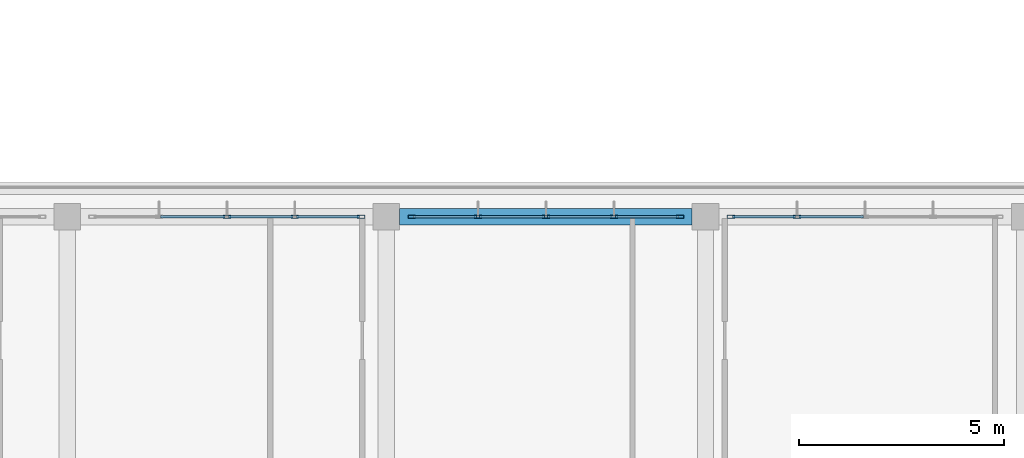
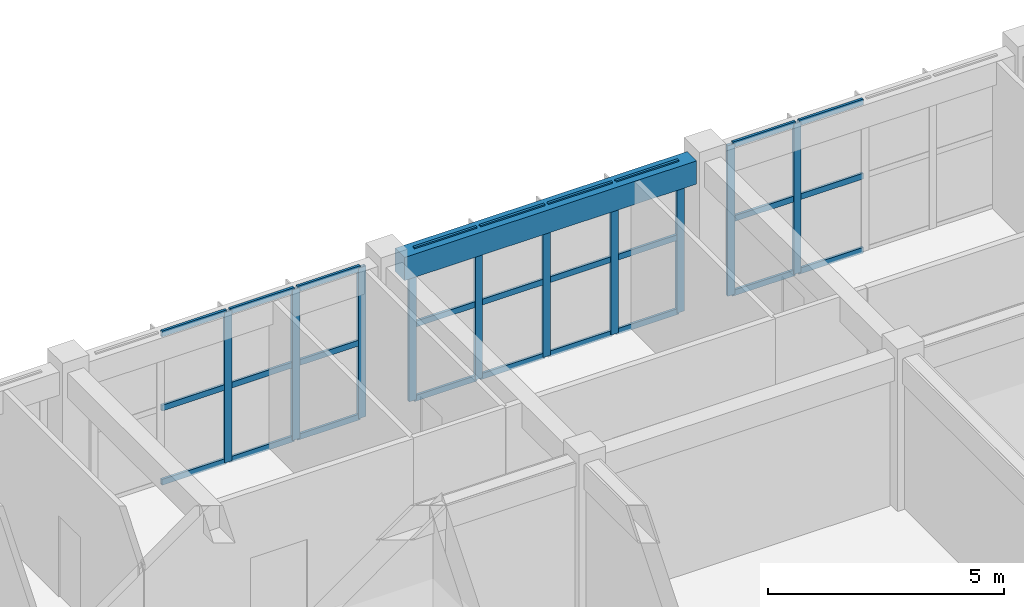
# One storey, part 25 of 57: 37 members, 1 beam, 3 elements without a shape of their own.
"""IFC4 building model written with IfcOpenShell, lengths in metres."""

from ifc_helpers import new_model, si_unit, direction, frame, origin, origin_2d, place, context, subcontext, project, spatial, rectangle, hollow_rectangle, extrude, material, layer, layer_set, material_profile, profile_set, type_object, element, aggregate, save


model = new_model("IFC4")

# Units and contexts
model_context = context("Model", 3, precision=1e-05, world=origin(), true_north=direction((0.0, 1.0)))
body_context = subcontext(model_context, "Body", "Model", "MODEL_VIEW")
ifc_project = project(units=[si_unit("LENGTHUNIT", "METRE"), si_unit("AREAUNIT", "SQUARE_METRE"), si_unit("VOLUMEUNIT", "CUBIC_METRE"), si_unit("PLANEANGLEUNIT", "RADIAN"), si_unit("MASSUNIT", "GRAM", prefix="KILO")], contexts=[model_context])

# Site, building, storey
site_placement = place(None, origin())
site = spatial("IfcSite", under=ifc_project, at=site_placement, CompositionType="ELEMENT")
building_placement = place(site_placement, origin())
building = spatial("IfcBuilding", under=site, at=building_placement, Name="Zizhar Promenade General Hospital", CompositionType="ELEMENT")
storey_placement = place(building_placement, frame((0.0, 0.0, 22.199951171875)))
storey = spatial("IfcBuildingStorey", under=building, at=storey_placement, Name="L05", CompositionType="ELEMENT", Elevation=22.199951171875)

# Beam
ifc_material_1 = material(Name="Concrete C35/45", Category="concrete")
ifc_material_profile_1 = material_profile(ifc_material_1, rectangle(XDim=0.39990234375, YDim=0.60009765625, at=origin_2d()))
ifc_profile_set_1 = profile_set([ifc_material_profile_1], Name="Concrete C35/45")
beam_type = type_object("IfcBeamType", Name="BM-RC-400x600", PredefinedType="JOIST", material=ifc_profile_set_1)
beam_placement = place(storey_placement, frame((86.125, 25.199951171875, 3.610107421875), z_axis=(1.0, 0.0, 0.0), x_axis=(0.0, 1.0, 0.0)))
element("IfcBeam", 1, at=beam_placement, inside=storey, type_object=beam_type, Name="Grid Beam X L05 (11-3)", PredefinedType="JOIST", context=body_context, shape_type="SweptSolid", body=[
    extrude(rectangle(XDim=0.39990234375, YDim=0.60009765625, at=origin_2d()), origin(), (0.0, 0.0, 1.0), 7.14990234375),
])

# Curtain wall, members
ifc_material_2 = material(Name="Anodised aluminium 6063-T6 and low-E glass", Category="aluminium")
ifc_layer = layer(ifc_material_2, 0.159912109375)
ifc_layer_set = layer_set([ifc_layer], Name="Anodised aluminium 6063-T6 and low-E glass")
curtain_wall_type = type_object("IfcCurtainWallType", Name="CW-WARD-RIB", PredefinedType="NOTDEFINED", material=ifc_layer_set)
curtain_wall_1_placement = place(storey_placement, origin())
curtain_wall_1 = element("IfcCurtainWall", 2, at=curtain_wall_1_placement, inside=storey, type_object=curtain_wall_type, Name="Ward Ribbon Curtain Wall L05-8-6", PredefinedType="NOTDEFINED")
ifc_material_3 = material(Name="Anodised aluminium 6063-T6", Category="aluminium")
ifc_material_profile_2 = material_profile(ifc_material_3, hollow_rectangle(XDim=0.080078125, YDim=0.179931640625, WallThickness=0.0048828125, at=origin_2d()))
ifc_profile_set_2 = profile_set([ifc_material_profile_2], Name="Anodised aluminium 6063-T6")
member_type_1 = type_object("IfcMemberType", Name="CWM-ALU-180x80", PredefinedType="MULLION", material=ifc_profile_set_2)
member_1_placement = place(storey_placement, frame((81.89990234375, 25.199951171875, 0.0), z_axis=(0.0, 0.0, 1.0), x_axis=(0.0, 1.0, 0.0)))
member_1 = element("IfcMember", 3, at=member_1_placement, type_object=member_type_1, Name="CW-13 mullion 3", PredefinedType="MULLION", context=body_context, shape_type="SweptSolid", body=[
    extrude(hollow_rectangle(XDim=0.080078125, YDim=0.179931640625, WallThickness=0.0048828125, at=origin_2d()), origin(), (0.0, 0.0, 1.0), 3.900146484375),
])
member_2_placement = place(storey_placement, frame((83.56005859375, 25.199951171875, 0.0), z_axis=(0.0, 0.0, 1.0), x_axis=(0.0, 1.0, 0.0)))
member_2 = element("IfcMember", 4, at=member_2_placement, type_object=member_type_1, Name="CW-13 mullion 4", PredefinedType="MULLION", context=body_context, shape_type="SweptSolid", body=[
    extrude(hollow_rectangle(XDim=0.080078125, YDim=0.179931640625, WallThickness=0.0048828125, at=origin_2d()), origin(), (0.0, 0.0, 1.0), 3.900146484375),
])
member_3_placement = place(storey_placement, frame((85.179931640625, 25.199951171875, 0.0), z_axis=(0.0, 0.0, 1.0), x_axis=(0.0, 1.0, 0.0)))
member_3 = element("IfcMember", 5, at=member_3_placement, type_object=member_type_1, Name="CW-13 mullion 5", PredefinedType="MULLION", context=body_context, shape_type="SweptSolid", body=[
    extrude(hollow_rectangle(XDim=0.080078125, YDim=0.179931640625, WallThickness=0.0048828125, at=origin_2d()), origin(), (0.0, 0.0, 1.0), 3.900146484375),
])

curtain_wall_2_placement = place(storey_placement, origin())
curtain_wall_2 = element("IfcCurtainWall", 6, at=curtain_wall_2_placement, inside=storey, type_object=curtain_wall_type, Name="Ward Ribbon Curtain Wall L05-8-7", PredefinedType="NOTDEFINED")
member_4_placement = place(storey_placement, frame((86.419921875, 25.199951171875, 0.0), z_axis=(0.0, 0.0, 1.0), x_axis=(0.0, 1.0, 0.0)))
member_4 = element("IfcMember", 7, at=member_4_placement, type_object=member_type_1, Name="CW-13 mullion 1", PredefinedType="MULLION", context=body_context, shape_type="SweptSolid", body=[
    extrude(hollow_rectangle(XDim=0.080078125, YDim=0.179931640625, WallThickness=0.0048828125, at=origin_2d()), origin(), (0.0, 0.0, 1.0), 3.900146484375),
])
member_5_placement = place(storey_placement, frame((88.0400390625, 25.199951171875, 0.0), z_axis=(0.0, 0.0, 1.0), x_axis=(0.0, 1.0, 0.0)))
member_5 = element("IfcMember", 8, at=member_5_placement, type_object=member_type_1, Name="CW-13 mullion 2", PredefinedType="MULLION", context=body_context, shape_type="SweptSolid", body=[
    extrude(hollow_rectangle(XDim=0.080078125, YDim=0.179931640625, WallThickness=0.0048828125, at=origin_2d()), origin(), (0.0, 0.0, 1.0), 3.900146484375),
])
member_6_placement = place(storey_placement, frame((89.699951171875, 25.199951171875, 0.0), z_axis=(0.0, 0.0, 1.0), x_axis=(0.0, 1.0, 0.0)))
member_6 = element("IfcMember", 9, at=member_6_placement, type_object=member_type_1, Name="CW-13 mullion 3", PredefinedType="MULLION", context=body_context, shape_type="SweptSolid", body=[
    extrude(hollow_rectangle(XDim=0.080078125, YDim=0.179931640625, WallThickness=0.0048828125, at=origin_2d()), origin(), (0.0, 0.0, 1.0), 3.900146484375),
])
member_7_placement = place(storey_placement, frame((91.360107421875, 25.199951171875, 0.0), z_axis=(0.0, 0.0, 1.0), x_axis=(0.0, 1.0, 0.0)))
member_7 = element("IfcMember", 10, at=member_7_placement, type_object=member_type_1, Name="CW-13 mullion 4", PredefinedType="MULLION", context=body_context, shape_type="SweptSolid", body=[
    extrude(hollow_rectangle(XDim=0.080078125, YDim=0.179931640625, WallThickness=0.0048828125, at=origin_2d()), origin(), (0.0, 0.0, 1.0), 3.900146484375),
])
member_8_placement = place(storey_placement, frame((92.97998046875, 25.199951171875, 0.0), z_axis=(0.0, 0.0, 1.0), x_axis=(0.0, 1.0, 0.0)))
member_8 = element("IfcMember", 11, at=member_8_placement, type_object=member_type_1, Name="CW-13 mullion 5", PredefinedType="MULLION", context=body_context, shape_type="SweptSolid", body=[
    extrude(hollow_rectangle(XDim=0.080078125, YDim=0.179931640625, WallThickness=0.0048828125, at=origin_2d()), origin(), (0.0, 0.0, 1.0), 3.900146484375),
])

curtain_wall_3_placement = place(storey_placement, origin())
curtain_wall_3 = element("IfcCurtainWall", 12, at=curtain_wall_3_placement, inside=storey, type_object=curtain_wall_type, Name="Ward Ribbon Curtain Wall L05-8-8", PredefinedType="NOTDEFINED")
member_9_placement = place(storey_placement, frame((94.219970703125, 25.199951171875, 0.0), z_axis=(0.0, 0.0, 1.0), x_axis=(0.0, 1.0, 0.0)))
member_9 = element("IfcMember", 13, at=member_9_placement, type_object=member_type_1, Name="CW-13 mullion 1", PredefinedType="MULLION", context=body_context, shape_type="SweptSolid", body=[
    extrude(hollow_rectangle(XDim=0.080078125, YDim=0.179931640625, WallThickness=0.0048828125, at=origin_2d()), origin(), (0.0, 0.0, 1.0), 3.900146484375),
])
member_10_placement = place(storey_placement, frame((95.840087890625, 25.199951171875, 0.0), z_axis=(0.0, 0.0, 1.0), x_axis=(0.0, 1.0, 0.0)))
member_10 = element("IfcMember", 14, at=member_10_placement, type_object=member_type_1, Name="CW-13 mullion 2", PredefinedType="MULLION", context=body_context, shape_type="SweptSolid", body=[
    extrude(hollow_rectangle(XDim=0.080078125, YDim=0.179931640625, WallThickness=0.0048828125, at=origin_2d()), origin(), (0.0, 0.0, 1.0), 3.900146484375),
])

# Member
ifc_material_4 = material(Name="Anodised aluminium 6063-T6", Category="aluminium")
ifc_material_profile_3 = material_profile(ifc_material_4, hollow_rectangle(XDim=0.06005859375, YDim=0.14990234375, WallThickness=0.00390625, at=origin_2d()))
ifc_profile_set_3 = profile_set([ifc_material_profile_3], Name="Anodised aluminium 6063-T6")
member_type_2 = type_object("IfcMemberType", Name="CWT-ALU-150x60", PredefinedType="USERDEFINED", material=ifc_profile_set_3)
member_11_placement = place(storey_placement, frame((80.280029296875, 25.199951171875, 0.030029296875), z_axis=(1.0, 0.0, 0.0), x_axis=(0.0, 1.0, 0.0)))
member_11 = element("IfcMember", 15, at=member_11_placement, type_object=member_type_2, Name="CW-13 transom 2.1", ObjectType="TRANSOM", PredefinedType="USERDEFINED", context=body_context, shape_type="SweptSolid", body=[
    extrude(hollow_rectangle(XDim=0.06005859375, YDim=0.14990234375, WallThickness=0.00390625, at=origin_2d()), origin(), (0.0, 0.0, 1.0), 1.580078125),
])

member_12_placement = place(storey_placement, frame((80.280029296875, 25.199951171875, 1.949951171875), z_axis=(1.0, 0.0, 0.0), x_axis=(0.0, 1.0, 0.0)))
member_12 = element("IfcMember", 16, at=member_12_placement, type_object=member_type_2, Name="CW-13 transom 2.2", ObjectType="TRANSOM", PredefinedType="USERDEFINED", context=body_context, shape_type="SweptSolid", body=[
    extrude(hollow_rectangle(XDim=0.06005859375, YDim=0.14990234375, WallThickness=0.00390625, at=origin_2d()), origin(), (0.0, 0.0, 1.0), 1.580078125),
])

member_13_placement = place(storey_placement, frame((80.280029296875, 25.199951171875, 3.8701171875), z_axis=(1.0, 0.0, 0.0), x_axis=(0.0, 1.0, 0.0)))
member_13 = element("IfcMember", 17, at=member_13_placement, type_object=member_type_2, Name="CW-13 transom 2.3", ObjectType="TRANSOM", PredefinedType="USERDEFINED", context=body_context, shape_type="SweptSolid", body=[
    extrude(hollow_rectangle(XDim=0.06005859375, YDim=0.14990234375, WallThickness=0.00390625, at=origin_2d()), origin(), (0.0, 0.0, 1.0), 1.580078125),
])

member_14_placement = place(storey_placement, frame((81.93994140625, 25.199951171875, 0.030029296875), z_axis=(1.0, 0.0, 0.0), x_axis=(0.0, 1.0, 0.0)))
member_14 = element("IfcMember", 18, at=member_14_placement, type_object=member_type_2, Name="CW-13 transom 3.1", ObjectType="TRANSOM", PredefinedType="USERDEFINED", context=body_context, shape_type="SweptSolid", body=[
    extrude(hollow_rectangle(XDim=0.06005859375, YDim=0.14990234375, WallThickness=0.00390625, at=origin_2d()), origin(), (0.0, 0.0, 1.0), 1.580078125),
])

member_15_placement = place(storey_placement, frame((81.93994140625, 25.199951171875, 1.949951171875), z_axis=(1.0, 0.0, 0.0), x_axis=(0.0, 1.0, 0.0)))
member_15 = element("IfcMember", 19, at=member_15_placement, type_object=member_type_2, Name="CW-13 transom 3.2", ObjectType="TRANSOM", PredefinedType="USERDEFINED", context=body_context, shape_type="SweptSolid", body=[
    extrude(hollow_rectangle(XDim=0.06005859375, YDim=0.14990234375, WallThickness=0.00390625, at=origin_2d()), origin(), (0.0, 0.0, 1.0), 1.580078125),
])

member_16_placement = place(storey_placement, frame((81.93994140625, 25.199951171875, 3.8701171875), z_axis=(1.0, 0.0, 0.0), x_axis=(0.0, 1.0, 0.0)))
member_16 = element("IfcMember", 20, at=member_16_placement, type_object=member_type_2, Name="CW-13 transom 3.3", ObjectType="TRANSOM", PredefinedType="USERDEFINED", context=body_context, shape_type="SweptSolid", body=[
    extrude(hollow_rectangle(XDim=0.06005859375, YDim=0.14990234375, WallThickness=0.00390625, at=origin_2d()), origin(), (0.0, 0.0, 1.0), 1.580078125),
])

member_17_placement = place(storey_placement, frame((83.60009765625, 25.199951171875, 0.030029296875), z_axis=(1.0, 0.0, 0.0), x_axis=(0.0, 1.0, 0.0)))
member_17 = element("IfcMember", 21, at=member_17_placement, type_object=member_type_2, Name="CW-13 transom 4.1", ObjectType="TRANSOM", PredefinedType="USERDEFINED", context=body_context, shape_type="SweptSolid", body=[
    extrude(hollow_rectangle(XDim=0.06005859375, YDim=0.14990234375, WallThickness=0.00390625, at=origin_2d()), origin(), (0.0, 0.0, 1.0), 1.539794921875),
])

member_18_placement = place(storey_placement, frame((83.60009765625, 25.199951171875, 1.949951171875), z_axis=(1.0, 0.0, 0.0), x_axis=(0.0, 1.0, 0.0)))
member_18 = element("IfcMember", 22, at=member_18_placement, type_object=member_type_2, Name="CW-13 transom 4.2", ObjectType="TRANSOM", PredefinedType="USERDEFINED", context=body_context, shape_type="SweptSolid", body=[
    extrude(hollow_rectangle(XDim=0.06005859375, YDim=0.14990234375, WallThickness=0.00390625, at=origin_2d()), origin(), (0.0, 0.0, 1.0), 1.539794921875),
])

member_19_placement = place(storey_placement, frame((83.60009765625, 25.199951171875, 3.8701171875), z_axis=(1.0, 0.0, 0.0), x_axis=(0.0, 1.0, 0.0)))
member_19 = element("IfcMember", 23, at=member_19_placement, type_object=member_type_2, Name="CW-13 transom 4.3", ObjectType="TRANSOM", PredefinedType="USERDEFINED", context=body_context, shape_type="SweptSolid", body=[
    extrude(hollow_rectangle(XDim=0.06005859375, YDim=0.14990234375, WallThickness=0.00390625, at=origin_2d()), origin(), (0.0, 0.0, 1.0), 1.539794921875),
])

aggregate(curtain_wall_1, [member_1, member_2, member_3, member_11, member_12, member_13, member_14, member_15, member_16, member_17, member_18, member_19])

member_20_placement = place(storey_placement, frame((86.4599609375, 25.199951171875, 0.030029296875), z_axis=(1.0, 0.0, 0.0), x_axis=(0.0, 1.0, 0.0)))
member_20 = element("IfcMember", 24, at=member_20_placement, type_object=member_type_2, Name="CW-13 transom 1.1", ObjectType="TRANSOM", PredefinedType="USERDEFINED", context=body_context, shape_type="SweptSolid", body=[
    extrude(hollow_rectangle(XDim=0.06005859375, YDim=0.14990234375, WallThickness=0.00390625, at=origin_2d()), origin(), (0.0, 0.0, 1.0), 1.5400390625),
])

member_21_placement = place(storey_placement, frame((86.4599609375, 25.199951171875, 1.949951171875), z_axis=(1.0, 0.0, 0.0), x_axis=(0.0, 1.0, 0.0)))
member_21 = element("IfcMember", 25, at=member_21_placement, type_object=member_type_2, Name="CW-13 transom 1.2", ObjectType="TRANSOM", PredefinedType="USERDEFINED", context=body_context, shape_type="SweptSolid", body=[
    extrude(hollow_rectangle(XDim=0.06005859375, YDim=0.14990234375, WallThickness=0.00390625, at=origin_2d()), origin(), (0.0, 0.0, 1.0), 1.5400390625),
])

member_22_placement = place(storey_placement, frame((86.4599609375, 25.199951171875, 3.8701171875), z_axis=(1.0, 0.0, 0.0), x_axis=(0.0, 1.0, 0.0)))
member_22 = element("IfcMember", 26, at=member_22_placement, type_object=member_type_2, Name="CW-13 transom 1.3", ObjectType="TRANSOM", PredefinedType="USERDEFINED", context=body_context, shape_type="SweptSolid", body=[
    extrude(hollow_rectangle(XDim=0.06005859375, YDim=0.14990234375, WallThickness=0.00390625, at=origin_2d()), origin(), (0.0, 0.0, 1.0), 1.5400390625),
])

member_23_placement = place(storey_placement, frame((88.080078125, 25.199951171875, 0.030029296875), z_axis=(1.0, 0.0, 0.0), x_axis=(0.0, 1.0, 0.0)))
member_23 = element("IfcMember", 27, at=member_23_placement, type_object=member_type_2, Name="CW-13 transom 2.1", ObjectType="TRANSOM", PredefinedType="USERDEFINED", context=body_context, shape_type="SweptSolid", body=[
    extrude(hollow_rectangle(XDim=0.06005859375, YDim=0.14990234375, WallThickness=0.00390625, at=origin_2d()), origin(), (0.0, 0.0, 1.0), 1.579833984375),
])

member_24_placement = place(storey_placement, frame((88.080078125, 25.199951171875, 1.949951171875), z_axis=(1.0, 0.0, 0.0), x_axis=(0.0, 1.0, 0.0)))
member_24 = element("IfcMember", 28, at=member_24_placement, type_object=member_type_2, Name="CW-13 transom 2.2", ObjectType="TRANSOM", PredefinedType="USERDEFINED", context=body_context, shape_type="SweptSolid", body=[
    extrude(hollow_rectangle(XDim=0.06005859375, YDim=0.14990234375, WallThickness=0.00390625, at=origin_2d()), origin(), (0.0, 0.0, 1.0), 1.579833984375),
])

member_25_placement = place(storey_placement, frame((88.080078125, 25.199951171875, 3.8701171875), z_axis=(1.0, 0.0, 0.0), x_axis=(0.0, 1.0, 0.0)))
member_25 = element("IfcMember", 29, at=member_25_placement, type_object=member_type_2, Name="CW-13 transom 2.3", ObjectType="TRANSOM", PredefinedType="USERDEFINED", context=body_context, shape_type="SweptSolid", body=[
    extrude(hollow_rectangle(XDim=0.06005859375, YDim=0.14990234375, WallThickness=0.00390625, at=origin_2d()), origin(), (0.0, 0.0, 1.0), 1.579833984375),
])

member_26_placement = place(storey_placement, frame((89.739990234375, 25.199951171875, 0.030029296875), z_axis=(1.0, 0.0, 0.0), x_axis=(0.0, 1.0, 0.0)))
member_26 = element("IfcMember", 30, at=member_26_placement, type_object=member_type_2, Name="CW-13 transom 3.1", ObjectType="TRANSOM", PredefinedType="USERDEFINED", context=body_context, shape_type="SweptSolid", body=[
    extrude(hollow_rectangle(XDim=0.06005859375, YDim=0.14990234375, WallThickness=0.00390625, at=origin_2d()), origin(), (0.0, 0.0, 1.0), 1.580078125),
])

member_27_placement = place(storey_placement, frame((89.739990234375, 25.199951171875, 1.949951171875), z_axis=(1.0, 0.0, 0.0), x_axis=(0.0, 1.0, 0.0)))
member_27 = element("IfcMember", 31, at=member_27_placement, type_object=member_type_2, Name="CW-13 transom 3.2", ObjectType="TRANSOM", PredefinedType="USERDEFINED", context=body_context, shape_type="SweptSolid", body=[
    extrude(hollow_rectangle(XDim=0.06005859375, YDim=0.14990234375, WallThickness=0.00390625, at=origin_2d()), origin(), (0.0, 0.0, 1.0), 1.580078125),
])

member_28_placement = place(storey_placement, frame((89.739990234375, 25.199951171875, 3.8701171875), z_axis=(1.0, 0.0, 0.0), x_axis=(0.0, 1.0, 0.0)))
member_28 = element("IfcMember", 32, at=member_28_placement, type_object=member_type_2, Name="CW-13 transom 3.3", ObjectType="TRANSOM", PredefinedType="USERDEFINED", context=body_context, shape_type="SweptSolid", body=[
    extrude(hollow_rectangle(XDim=0.06005859375, YDim=0.14990234375, WallThickness=0.00390625, at=origin_2d()), origin(), (0.0, 0.0, 1.0), 1.580078125),
])

member_29_placement = place(storey_placement, frame((91.39990234375, 25.199951171875, 0.030029296875), z_axis=(1.0, 0.0, 0.0), x_axis=(0.0, 1.0, 0.0)))
member_29 = element("IfcMember", 33, at=member_29_placement, type_object=member_type_2, Name="CW-13 transom 4.1", ObjectType="TRANSOM", PredefinedType="USERDEFINED", context=body_context, shape_type="SweptSolid", body=[
    extrude(hollow_rectangle(XDim=0.06005859375, YDim=0.14990234375, WallThickness=0.00390625, at=origin_2d()), origin(), (0.0, 0.0, 1.0), 1.5400390625),
])

member_30_placement = place(storey_placement, frame((91.39990234375, 25.199951171875, 1.949951171875), z_axis=(1.0, 0.0, 0.0), x_axis=(0.0, 1.0, 0.0)))
member_30 = element("IfcMember", 34, at=member_30_placement, type_object=member_type_2, Name="CW-13 transom 4.2", ObjectType="TRANSOM", PredefinedType="USERDEFINED", context=body_context, shape_type="SweptSolid", body=[
    extrude(hollow_rectangle(XDim=0.06005859375, YDim=0.14990234375, WallThickness=0.00390625, at=origin_2d()), origin(), (0.0, 0.0, 1.0), 1.5400390625),
])

member_31_placement = place(storey_placement, frame((91.39990234375, 25.199951171875, 3.8701171875), z_axis=(1.0, 0.0, 0.0), x_axis=(0.0, 1.0, 0.0)))
member_31 = element("IfcMember", 35, at=member_31_placement, type_object=member_type_2, Name="CW-13 transom 4.3", ObjectType="TRANSOM", PredefinedType="USERDEFINED", context=body_context, shape_type="SweptSolid", body=[
    extrude(hollow_rectangle(XDim=0.06005859375, YDim=0.14990234375, WallThickness=0.00390625, at=origin_2d()), origin(), (0.0, 0.0, 1.0), 1.5400390625),
])

aggregate(curtain_wall_2, [member_4, member_5, member_6, member_7, member_8, member_20, member_21, member_22, member_23, member_24, member_25, member_26, member_27, member_28, member_29, member_30, member_31])

member_32_placement = place(storey_placement, frame((94.260009765625, 25.199951171875, 0.030029296875), z_axis=(1.0, 0.0, 0.0), x_axis=(0.0, 1.0, 0.0)))
member_32 = element("IfcMember", 36, at=member_32_placement, type_object=member_type_2, Name="CW-13 transom 1.1", ObjectType="TRANSOM", PredefinedType="USERDEFINED", context=body_context, shape_type="SweptSolid", body=[
    extrude(hollow_rectangle(XDim=0.06005859375, YDim=0.14990234375, WallThickness=0.00390625, at=origin_2d()), origin(), (0.0, 0.0, 1.0), 1.5400390625),
])

member_33_placement = place(storey_placement, frame((94.260009765625, 25.199951171875, 1.949951171875), z_axis=(1.0, 0.0, 0.0), x_axis=(0.0, 1.0, 0.0)))
member_33 = element("IfcMember", 37, at=member_33_placement, type_object=member_type_2, Name="CW-13 transom 1.2", ObjectType="TRANSOM", PredefinedType="USERDEFINED", context=body_context, shape_type="SweptSolid", body=[
    extrude(hollow_rectangle(XDim=0.06005859375, YDim=0.14990234375, WallThickness=0.00390625, at=origin_2d()), origin(), (0.0, 0.0, 1.0), 1.5400390625),
])

member_34_placement = place(storey_placement, frame((94.260009765625, 25.199951171875, 3.8701171875), z_axis=(1.0, 0.0, 0.0), x_axis=(0.0, 1.0, 0.0)))
member_34 = element("IfcMember", 38, at=member_34_placement, type_object=member_type_2, Name="CW-13 transom 1.3", ObjectType="TRANSOM", PredefinedType="USERDEFINED", context=body_context, shape_type="SweptSolid", body=[
    extrude(hollow_rectangle(XDim=0.06005859375, YDim=0.14990234375, WallThickness=0.00390625, at=origin_2d()), origin(), (0.0, 0.0, 1.0), 1.5400390625),
])

member_35_placement = place(storey_placement, frame((95.8798828125, 25.199951171875, 0.030029296875), z_axis=(1.0, 0.0, 0.0), x_axis=(0.0, 1.0, 0.0)))
member_35 = element("IfcMember", 39, at=member_35_placement, type_object=member_type_2, Name="CW-13 transom 2.1", ObjectType="TRANSOM", PredefinedType="USERDEFINED", context=body_context, shape_type="SweptSolid", body=[
    extrude(hollow_rectangle(XDim=0.06005859375, YDim=0.14990234375, WallThickness=0.00390625, at=origin_2d()), origin(), (0.0, 0.0, 1.0), 1.580078125),
])

member_36_placement = place(storey_placement, frame((95.8798828125, 25.199951171875, 1.949951171875), z_axis=(1.0, 0.0, 0.0), x_axis=(0.0, 1.0, 0.0)))
member_36 = element("IfcMember", 40, at=member_36_placement, type_object=member_type_2, Name="CW-13 transom 2.2", ObjectType="TRANSOM", PredefinedType="USERDEFINED", context=body_context, shape_type="SweptSolid", body=[
    extrude(hollow_rectangle(XDim=0.06005859375, YDim=0.14990234375, WallThickness=0.00390625, at=origin_2d()), origin(), (0.0, 0.0, 1.0), 1.580078125),
])

member_37_placement = place(storey_placement, frame((95.8798828125, 25.199951171875, 3.8701171875), z_axis=(1.0, 0.0, 0.0), x_axis=(0.0, 1.0, 0.0)))
member_37 = element("IfcMember", 41, at=member_37_placement, type_object=member_type_2, Name="CW-13 transom 2.3", ObjectType="TRANSOM", PredefinedType="USERDEFINED", context=body_context, shape_type="SweptSolid", body=[
    extrude(hollow_rectangle(XDim=0.06005859375, YDim=0.14990234375, WallThickness=0.00390625, at=origin_2d()), origin(), (0.0, 0.0, 1.0), 1.580078125),
])

aggregate(curtain_wall_3, [member_9, member_10, member_32, member_33, member_34, member_35, member_36, member_37])

save(model, "model.ifc")
